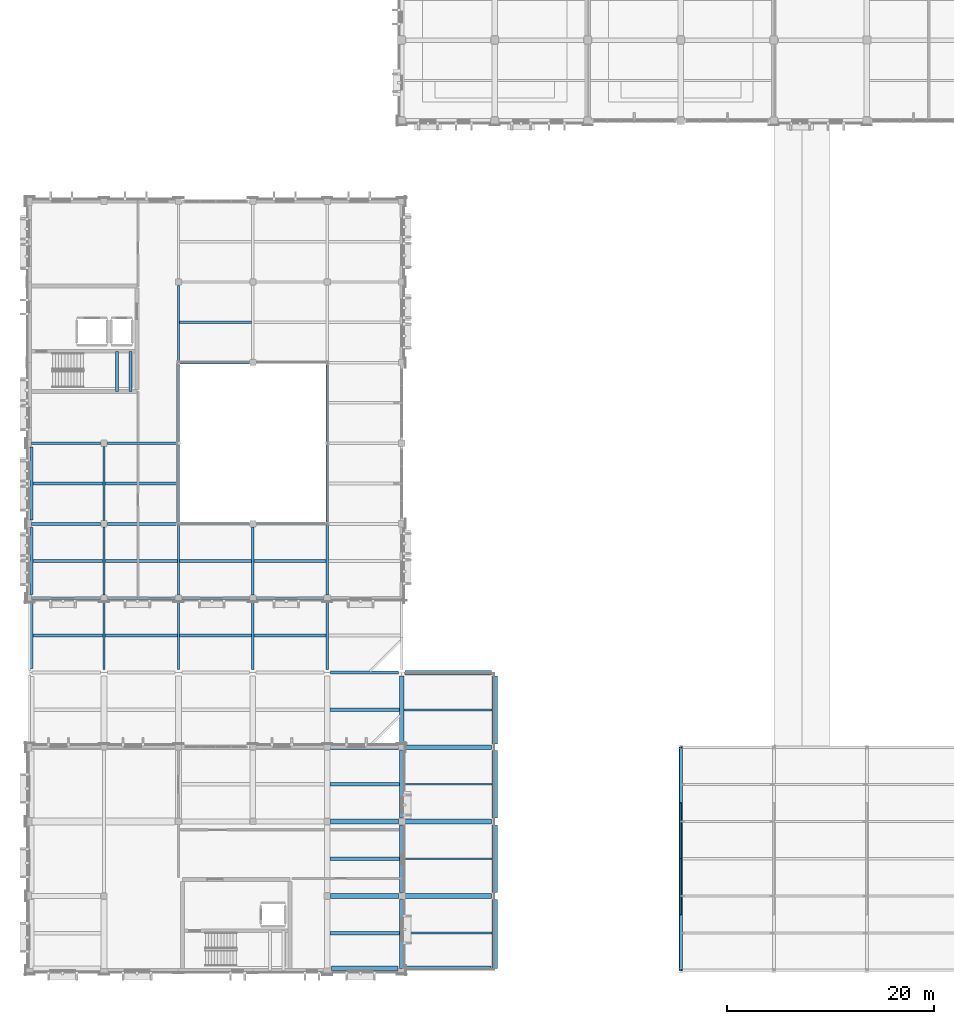
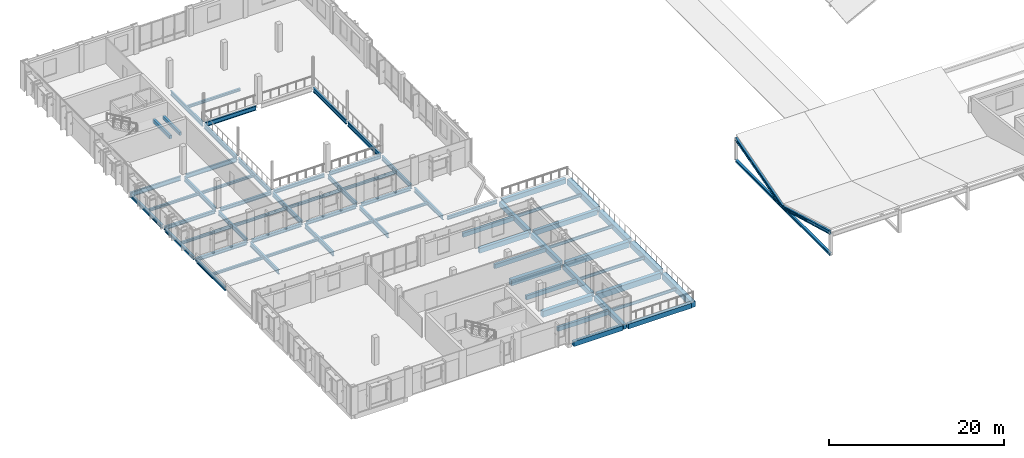
# One storey, part 14 of 64: 67 beams, 5 members.
"""IFC4 building model written with IfcOpenShell, lengths in metres."""

from ifc_helpers import new_model, si_unit, direction, frame, origin, origin_2d, place, context, subcontext, project, spatial, rectangle, hollow_rectangle, i_section, extrude, material, material_profile, profile_set, type_object, element, save


model = new_model("IFC4")

# Units and contexts
model_context = context("Model", 3, precision=1e-05, world=origin(), true_north=direction((0.0, 1.0)))
body_context = subcontext(model_context, "Body", "Model", "MODEL_VIEW")
ifc_project = project(units=[si_unit("LENGTHUNIT", "METRE"), si_unit("AREAUNIT", "SQUARE_METRE"), si_unit("VOLUMEUNIT", "CUBIC_METRE"), si_unit("PLANEANGLEUNIT", "RADIAN"), si_unit("MASSUNIT", "GRAM", prefix="KILO")], contexts=[model_context])

# Site, building, storey
site_placement = place(None, origin())
site = spatial("IfcSite", under=ifc_project, at=site_placement, CompositionType="ELEMENT")
building_placement = place(site_placement, origin())
building = spatial("IfcBuilding", under=site, at=building_placement, Name="Vervanel Yard Central Library", CompositionType="ELEMENT")
storey_placement = place(building_placement, frame((0.0, 0.0, 8.93994140625)))
storey = spatial("IfcBuildingStorey", under=building, at=storey_placement, Name="L02", CompositionType="ELEMENT", Elevation=8.93994140625)

# Members
ifc_material_1 = material(Name="Steel ASTM A992 Grade 50", Category="steel")
ifc_material_profile_1 = material_profile(ifc_material_1, i_section(OverallWidth=0.309814453125, OverallDepth=0.32763671875, WebThickness=0.015380859375, FlangeThickness=0.025146484375, at=origin_2d()), Name="W12X106", Category="steel")
ifc_profile_set_1 = profile_set([ifc_material_profile_1], Name="Steel ASTM A992 Grade 50")
member_type_1 = type_object("IfcMemberType", Name="Auditorium Roof Truss Bottom Chord W12X106", PredefinedType="CHORD", material=ifc_profile_set_1)
member_1_placement = place(storey_placement, frame((63.0, 0.0, 0.0400390625), z_axis=(0.0, 1.0, 0.0), x_axis=(-1.0, 0.0, 0.0)))
element("IfcMember", 1, at=member_1_placement, inside=storey, type_object=member_type_1, Name="V5 Butterfly Raised Tie Chord X=63.0", PredefinedType="CHORD", context=body_context, shape_type="SweptSolid", body=[
    extrude(i_section(OverallWidth=0.309814453125, OverallDepth=0.32763671875, WebThickness=0.015380859375, FlangeThickness=0.025146484375, at=origin_2d()), origin(), (0.0, 0.0, 1.0), 21.60009765625),
])
ifc_material_profile_2 = material_profile(ifc_material_1, i_section(OverallWidth=0.281982421875, OverallDepth=0.46728515625, WebThickness=0.01220703125, FlangeThickness=0.01953125, at=origin_2d()), Name="W18X86", Category="steel")
ifc_profile_set_2 = profile_set([ifc_material_profile_2], Name="Steel ASTM A992 Grade 50")
member_type_2 = type_object("IfcMemberType", Name="Butterfly Sloped Rafter W18X86", PredefinedType="RAFTER", material=ifc_profile_set_2)
for number, where, z_axis, x_axis, name in (
    (2, (63.0, 0.0, 3.076904296875), (0.0, 0.963129808718, -0.269037119297), (-1.0, 0.0, 0.0), "V5 Butterfly South Rafter X=63.0"),
    (3, (63.0, 10.800048828125, 0.06005859375), (0.0, 0.963129808718, 0.269037119297), (-1.0, 0.0, 0.0), "V5 Butterfly North Rafter X=63.0"),
):
    element("IfcMember", number, at=place(storey_placement, frame(where, z_axis=z_axis, x_axis=x_axis)), inside=storey, type_object=member_type_2, Name=name, PredefinedType="RAFTER", context=body_context, shape_type="SweptSolid", body=[
        extrude(i_section(OverallWidth=0.281982421875, OverallDepth=0.46728515625, WebThickness=0.01220703125, FlangeThickness=0.01953125, at=origin_2d()), origin(), (0.0, 0.0, 1.0), 11.21337890625),
    ])

# Beams
ifc_material_2 = material(Name="Concrete C40/50", Category="concrete")
ifc_material_profile_3 = material_profile(ifc_material_2, rectangle(XDim=0.5, YDim=0.820068359375, at=origin_2d()), Name="RC 500x820", Category="concrete")
ifc_profile_set_3 = profile_set([ifc_material_profile_3], Name="Concrete C40/50")
beam_type_1 = type_object("IfcBeamType", Name="Concrete Girder 500x820", PredefinedType="BEAM", material=ifc_profile_set_3)
beam_1_placement = place(storey_placement, frame((29.125, 7.199951171875, -0.69482421875), z_axis=(1.0, 0.0, 0.0), x_axis=(0.0, 1.0, 0.0)))
element("IfcBeam", 4, at=beam_1_placement, inside=storey, type_object=beam_type_1, Name="L02 Girder CB-06 Y=7.2 X=28.8-36.0", PredefinedType="BEAM", context=body_context, shape_type="SweptSolid", body=[
    extrude(rectangle(XDim=0.5, YDim=0.820068359375, at=origin_2d()), origin(), (0.0, 0.0, 1.0), 6.550048828125),
])
beam_2_placement = place(storey_placement, frame((36.324951171875, 7.199951171875, -0.7548828125), z_axis=(1.0, 0.0, 0.0), x_axis=(0.0, 1.0, 0.0)))
element("IfcBeam", 5, at=beam_2_placement, inside=storey, type_object=beam_type_1, Name="L02 Girder CB-06 Y=7.2 X=36.0-45.0", PredefinedType="BEAM", context=body_context, shape_type="SweptSolid", body=[
    extrude(rectangle(XDim=0.5, YDim=0.820068359375, at=origin_2d()), origin(), (0.0, 0.0, 1.0), 8.35009765625),
])
beam_3_placement = place(storey_placement, frame((29.125, 14.39990234375, -0.69482421875), z_axis=(1.0, 0.0, 0.0), x_axis=(0.0, 1.0, 0.0)))
element("IfcBeam", 6, at=beam_3_placement, inside=storey, type_object=beam_type_1, Name="L02 Girder CB-06 Y=14.4 X=28.8-36.0", PredefinedType="BEAM", context=body_context, shape_type="SweptSolid", body=[
    extrude(rectangle(XDim=0.5, YDim=0.820068359375, at=origin_2d()), origin(), (0.0, 0.0, 1.0), 6.550048828125),
])
beam_4_placement = place(storey_placement, frame((36.324951171875, 14.39990234375, -0.7548828125), z_axis=(1.0, 0.0, 0.0), x_axis=(0.0, 1.0, 0.0)))
element("IfcBeam", 7, at=beam_4_placement, inside=storey, type_object=beam_type_1, Name="L02 Girder CB-06 Y=14.4 X=36.0-45.0", PredefinedType="BEAM", context=body_context, shape_type="SweptSolid", body=[
    extrude(rectangle(XDim=0.5, YDim=0.820068359375, at=origin_2d()), origin(), (0.0, 0.0, 1.0), 8.35009765625),
])
ifc_material_profile_4 = material_profile(ifc_material_2, rectangle(XDim=0.300048828125, YDim=0.449951171875, at=origin_2d()), Name="RC 300x450", Category="concrete")
ifc_profile_set_4 = profile_set([ifc_material_profile_4], Name="Concrete C40/50")
beam_type_2 = type_object("IfcBeamType", Name="Concrete Opening Lintel 300x450", PredefinedType="LINTEL", material=ifc_profile_set_4)
for number, where, z_axis, x_axis, name in (
    (8, (8.449951171875, 56.0, 1.4951171875), (0.0, 1.0, 0.0), (-1.0, 0.0, 0.0), "L02 CORE-C Stair Landing Beam 25"),
    (9, (9.75, 56.0, 1.4951171875), (0.0, 1.0, 0.0), (-1.0, 0.0, 0.0), "L02 CORE-C Stair Landing Beam 26"),
):
    element("IfcBeam", number, at=place(storey_placement, frame(where, z_axis=z_axis, x_axis=x_axis)), inside=storey, type_object=beam_type_2, Name=name, PredefinedType="LINTEL", context=body_context, shape_type="SweptSolid", body=[
        extrude(rectangle(XDim=0.300048828125, YDim=0.449951171875, at=origin_2d()), origin(), (0.0, 0.0, 1.0), 3.89501953125),
    ])
ifc_material_profile_5 = material_profile(ifc_material_2, rectangle(XDim=0.419921875, YDim=0.679931640625, at=origin_2d()), Name="RC 420x680", Category="concrete")
ifc_profile_set_5 = profile_set([ifc_material_profile_5], Name="Concrete C40/50")
beam_type_3 = type_object("IfcBeamType", Name="Concrete Perimeter Spandrel 420x680", PredefinedType="SPANDREL", material=ifc_profile_set_5)
beam_5_placement = place(storey_placement, frame((29.18994140625, 0.199951171875, -0.625), z_axis=(1.0, 0.0, 0.0), x_axis=(0.0, 1.0, 0.0)))
element("IfcBeam", 10, at=beam_5_placement, inside=storey, type_object=beam_type_3, Name="L02 Girder SP-04 Y=0.0 X=28.8-36.0", PredefinedType="SPANDREL", context=body_context, shape_type="SweptSolid", body=[
    extrude(rectangle(XDim=0.419921875, YDim=0.679931640625, at=origin_2d()), origin(), (0.0, 0.0, 1.0), 6.4599609375),
])
beam_6_placement = place(storey_placement, frame((36.35009765625, 0.199951171875, -0.68505859375), z_axis=(1.0, 0.0, 0.0), x_axis=(0.0, 1.0, 0.0)))
element("IfcBeam", 11, at=beam_6_placement, inside=storey, type_object=beam_type_3, Name="L02 Girder SP-04 Y=0.0 X=36.0-45.0", PredefinedType="SPANDREL", context=body_context, shape_type="SweptSolid", body=[
    extrude(rectangle(XDim=0.419921875, YDim=0.679931640625, at=origin_2d()), origin(), (0.0, 0.0, 1.0), 8.2998046875),
])
beam_7_placement = place(storey_placement, frame((29.125, 21.60009765625, -0.625), z_axis=(1.0, 0.0, 0.0), x_axis=(0.0, 1.0, 0.0)))
element("IfcBeam", 12, at=beam_7_placement, inside=storey, type_object=beam_type_3, Name="L02 Girder SP-04 Y=21.6 X=28.8-36.0", PredefinedType="SPANDREL", context=body_context, shape_type="SweptSolid", body=[
    extrude(rectangle(XDim=0.419921875, YDim=0.679931640625, at=origin_2d()), origin(), (0.0, 0.0, 1.0), 6.550048828125),
])
for number, where, z_axis, x_axis, name in (
    (13, (36.324951171875, 21.60009765625, -0.68505859375), (1.0, 0.0, 0.0), (0.0, 1.0, 0.0), "L02 Girder SP-04 Y=21.6 X=36.0-45.0"),
    (14, (36.324951171875, 28.800048828125, -0.68505859375), (1.0, 0.0, 0.0), (0.0, 1.0, 0.0), "L02 Girder SP-04 Y=28.8 X=36.0-45.0"),
):
    element("IfcBeam", number, at=place(storey_placement, frame(where, z_axis=z_axis, x_axis=x_axis)), inside=storey, type_object=beam_type_3, Name=name, PredefinedType="SPANDREL", context=body_context, shape_type="SweptSolid", body=[
        extrude(rectangle(XDim=0.419921875, YDim=0.679931640625, at=origin_2d()), origin(), (0.0, 0.0, 1.0), 8.35009765625),
    ])
beam_8_placement = place(storey_placement, frame((36.0, 0.175048828125, -0.68505859375), z_axis=(0.0, 1.0, 0.0), x_axis=(-1.0, 0.0, 0.0)))
element("IfcBeam", 15, at=beam_8_placement, inside=storey, type_object=beam_type_3, Name="L02 Girder SP-04 X=36.0 Y=0.0-7.2", PredefinedType="SPANDREL", context=body_context, shape_type="SweptSolid", body=[
    extrude(rectangle(XDim=0.419921875, YDim=0.679931640625, at=origin_2d()), origin(), (0.0, 0.0, 1.0), 6.699951171875),
])
beam_9_placement = place(storey_placement, frame((36.0, 7.52490234375, -0.68505859375), z_axis=(0.0, 1.0, 0.0), x_axis=(-1.0, 0.0, 0.0)))
element("IfcBeam", 16, at=beam_9_placement, inside=storey, type_object=beam_type_3, Name="L02 Girder SP-04 X=36.0 Y=7.2-14.4", PredefinedType="SPANDREL", context=body_context, shape_type="SweptSolid", body=[
    extrude(rectangle(XDim=0.419921875, YDim=0.679931640625, at=origin_2d()), origin(), (0.0, 0.0, 1.0), 6.550048828125),
])
beam_10_placement = place(storey_placement, frame((36.0, 14.72509765625, -0.68505859375), z_axis=(0.0, 1.0, 0.0), x_axis=(-1.0, 0.0, 0.0)))
element("IfcBeam", 17, at=beam_10_placement, inside=storey, type_object=beam_type_3, Name="L02 Girder SP-04 X=36.0 Y=14.4-21.6", PredefinedType="SPANDREL", context=body_context, shape_type="SweptSolid", body=[
    extrude(rectangle(XDim=0.419921875, YDim=0.679931640625, at=origin_2d()), origin(), (0.0, 0.0, 1.0), 6.5498046875),
])
beam_11_placement = place(storey_placement, frame((36.0, 21.925048828125, -0.68505859375), z_axis=(0.0, 1.0, 0.0), x_axis=(-1.0, 0.0, 0.0)))
element("IfcBeam", 18, at=beam_11_placement, inside=storey, type_object=beam_type_3, Name="L02 Girder SP-04 X=36.0 Y=21.6-28.8", PredefinedType="SPANDREL", context=body_context, shape_type="SweptSolid", body=[
    extrude(rectangle(XDim=0.419921875, YDim=0.679931640625, at=origin_2d()), origin(), (0.0, 0.0, 1.0), 6.550048828125),
])
ifc_material_profile_6 = material_profile(ifc_material_2, rectangle(XDim=0.550048828125, YDim=0.800048828125, at=origin_2d()), Name="RC 550x800", Category="concrete")
ifc_profile_set_6 = profile_set([ifc_material_profile_6], Name="Concrete C40/50")
beam_type_4 = type_object("IfcBeamType", Name="Concrete Primary Girder 550x800", PredefinedType="BEAM", material=ifc_profile_set_6)
beam_12_placement = place(storey_placement, frame((45.0, 0.175048828125, -0.744873046875), z_axis=(0.0, 1.0, 0.0), x_axis=(-1.0, 0.0, 0.0)))
element("IfcBeam", 19, at=beam_12_placement, inside=storey, type_object=beam_type_4, Name="L02 Girder CB-02 X=45.0 Y=0.0-7.2", PredefinedType="BEAM", context=body_context, shape_type="SweptSolid", body=[
    extrude(rectangle(XDim=0.550048828125, YDim=0.800048828125, at=origin_2d()), origin(), (0.0, 0.0, 1.0), 6.699951171875),
])
beam_13_placement = place(storey_placement, frame((45.0, 7.52490234375, -0.744873046875), z_axis=(0.0, 1.0, 0.0), x_axis=(-1.0, 0.0, 0.0)))
element("IfcBeam", 20, at=beam_13_placement, inside=storey, type_object=beam_type_4, Name="L02 Girder CB-02 X=45.0 Y=7.2-14.4", PredefinedType="BEAM", context=body_context, shape_type="SweptSolid", body=[
    extrude(rectangle(XDim=0.550048828125, YDim=0.800048828125, at=origin_2d()), origin(), (0.0, 0.0, 1.0), 6.550048828125),
])
beam_14_placement = place(storey_placement, frame((45.0, 14.72509765625, -0.744873046875), z_axis=(0.0, 1.0, 0.0), x_axis=(-1.0, 0.0, 0.0)))
element("IfcBeam", 21, at=beam_14_placement, inside=storey, type_object=beam_type_4, Name="L02 Girder CB-02 X=45.0 Y=14.4-21.6", PredefinedType="BEAM", context=body_context, shape_type="SweptSolid", body=[
    extrude(rectangle(XDim=0.550048828125, YDim=0.800048828125, at=origin_2d()), origin(), (0.0, 0.0, 1.0), 6.5498046875),
])
beam_15_placement = place(storey_placement, frame((45.0, 21.925048828125, -0.744873046875), z_axis=(0.0, 1.0, 0.0), x_axis=(-1.0, 0.0, 0.0)))
element("IfcBeam", 22, at=beam_15_placement, inside=storey, type_object=beam_type_4, Name="L02 Girder CB-02 X=45.0 Y=21.6-28.8", PredefinedType="BEAM", context=body_context, shape_type="SweptSolid", body=[
    extrude(rectangle(XDim=0.550048828125, YDim=0.800048828125, at=origin_2d()), origin(), (0.0, 0.0, 1.0), 6.550048828125),
])
ifc_material_profile_7 = material_profile(ifc_material_2, rectangle(XDim=0.320068359375, YDim=0.580078125, at=origin_2d()), Name="RC 320x580", Category="concrete")
ifc_profile_set_7 = profile_set([ifc_material_profile_7], Name="Concrete C40/50")
beam_type_5 = type_object("IfcBeamType", Name="Concrete Secondary Joist 320x580", PredefinedType="JOIST", material=ifc_profile_set_7)
for number, where, z_axis, x_axis, name in (
    (23, (29.074951171875, 3.60009765625, -0.635009765625), (1.0, 0.0, 0.0), (0.0, 1.0, 0.0), "L02 Floor Joist CJ-04 Y=3.60 X=28.8-36.0"),
    (24, (29.074951171875, 10.800048828125, -0.635009765625), (1.0, 0.0, 0.0), (0.0, 1.0, 0.0), "L02 Floor Joist CJ-04 Y=10.80 X=28.8-36.0"),
    (25, (29.074951171875, 18.0, -0.635009765625), (1.0, 0.0, 0.0), (0.0, 1.0, 0.0), "L02 Floor Joist CJ-04 Y=18.00 X=28.8-36.0"),
    (26, (29.074951171875, 25.199951171875, -0.635009765625), (1.0, 0.0, 0.0), (0.0, 1.0, 0.0), "L02 Floor Joist CJ-04 Y=25.20 X=28.8-36.0"),
):
    element("IfcBeam", number, at=place(storey_placement, frame(where, z_axis=z_axis, x_axis=x_axis)), inside=storey, type_object=beam_type_5, Name=name, PredefinedType="JOIST", context=body_context, shape_type="SweptSolid", body=[
        extrude(rectangle(XDim=0.320068359375, YDim=0.580078125, at=origin_2d()), origin(), (0.0, 0.0, 1.0), 6.715087890625),
    ])

# Members
ifc_material_3 = material(Name="Steel ASTM A500 Grade C", Category="steel")
ifc_material_profile_8 = material_profile(ifc_material_3, hollow_rectangle(XDim=0.15234375, YDim=0.15234375, WallThickness=0.0087890625, at=origin_2d()), Name="HSS6X6X3/8", Category="steel")
ifc_profile_set_8 = profile_set([ifc_material_profile_8], Name="Steel ASTM A500 Grade C")
member_type_3 = type_object("IfcMemberType", Name="Roof Diaphragm Plan Brace HSS6X6X3/8", PredefinedType="BRACE", material=ifc_profile_set_8)
member_2_placement = place(storey_placement, frame((63.0, 5.39990234375, 1.568359375), z_axis=(0.0, 0.962207121164, -0.272318666237), x_axis=(-1.0, 0.0, 0.0)))
element("IfcMember", 27, at=member_2_placement, inside=storey, type_object=member_type_3, Name="V5 Butterfly Truss South Web X=63.0", PredefinedType="BRACE", context=body_context, shape_type="SweptSolid", body=[
    extrude(hollow_rectangle(XDim=0.15234375, YDim=0.15234375, WallThickness=0.0087890625, at=origin_2d()), origin(), (0.0, 0.0, 1.0), 5.6123046875),
])
member_3_placement = place(storey_placement, frame((63.0, 16.199951171875, 1.568359375), z_axis=(0.0, -0.96220389501, -0.27233006523), x_axis=(1.0, 0.0, 0.0)))
element("IfcMember", 28, at=member_3_placement, inside=storey, type_object=member_type_3, Name="V5 Butterfly Truss North Web X=63.0", PredefinedType="BRACE", context=body_context, shape_type="SweptSolid", body=[
    extrude(hollow_rectangle(XDim=0.15234375, YDim=0.15234375, WallThickness=0.0087890625, at=origin_2d()), origin(), (0.0, 0.0, 1.0), 5.612060546875),
])

# Beams
ifc_material_profile_9 = material_profile(ifc_material_1, i_section(OverallWidth=0.25390625, OverallDepth=0.355712890625, WebThickness=0.010498046875, FlangeThickness=0.018310546875, at=origin_2d()), Name="W14X68", Category="steel")
ifc_profile_set_9 = profile_set([ifc_material_profile_9], Name="Steel ASTM A992 Grade 50")
beam_type_6 = type_object("IfcBeamType", Name="Steel Atrium Edge Joist W14X68", PredefinedType="JOIST", material=ifc_profile_set_9)
for number, where, z_axis, x_axis, name in (
    (29, (0.341064453125, 32.39990234375, -0.432861328125), (1.0, 0.0, 0.0), (0.0, 1.0, 0.0), "L02 Floor Joist SJ-06 Y=32.40 X=0.0-7.2"),
    (30, (0.341064453125, 39.60009765625, -0.462646484375), (1.0, 0.0, 0.0), (0.0, 1.0, 0.0), "L02 Floor Joist SJ-06 Y=39.60 X=0.0-7.2"),
    (31, (0.341064453125, 47.10009765625, -0.462646484375), (1.0, 0.0, 0.0), (0.0, 1.0, 0.0), "L02 Floor Joist SJ-06 Y=47.10 X=0.0-7.2"),
):
    element("IfcBeam", number, at=place(storey_placement, frame(where, z_axis=z_axis, x_axis=x_axis)), inside=storey, type_object=beam_type_6, Name=name, PredefinedType="JOIST", context=body_context, shape_type="SweptSolid", body=[
        extrude(i_section(OverallWidth=0.25390625, OverallDepth=0.355712890625, WebThickness=0.010498046875, FlangeThickness=0.018310546875, at=origin_2d()), origin(), (0.0, 0.0, 1.0), 6.744384765625),
    ])
for number, where, z_axis, x_axis, name in (
    (32, (7.314697265625, 32.39990234375, -0.432861328125), (1.0, 0.0, 0.0), (0.0, 1.0, 0.0), "L02 Floor Joist SJ-06 Y=32.40 X=7.2-14.4"),
    (33, (7.314697265625, 39.60009765625, -0.462646484375), (1.0, 0.0, 0.0), (0.0, 1.0, 0.0), "L02 Floor Joist SJ-06 Y=39.60 X=7.2-14.4"),
    (34, (7.314697265625, 47.10009765625, -0.462646484375), (1.0, 0.0, 0.0), (0.0, 1.0, 0.0), "L02 Floor Joist SJ-06 Y=47.10 X=7.2-14.4"),
    (35, (14.5146484375, 32.39990234375, -0.432861328125), (1.0, 0.0, 0.0), (0.0, 1.0, 0.0), "L02 Floor Joist SJ-06 Y=32.40 X=14.4-21.6"),
    (36, (14.5146484375, 39.60009765625, -0.462646484375), (1.0, 0.0, 0.0), (0.0, 1.0, 0.0), "L02 Floor Joist SJ-06 Y=39.60 X=14.4-21.6"),
    (37, (14.5146484375, 62.699951171875, -0.462646484375), (1.0, 0.0, 0.0), (0.0, 1.0, 0.0), "L02 Floor Joist SJ-06 Y=62.70 X=14.4-21.6"),
    (38, (21.714599609375, 32.39990234375, -0.432861328125), (1.0, 0.0, 0.0), (0.0, 1.0, 0.0), "L02 Floor Joist SJ-06 Y=32.40 X=21.6-28.8"),
    (39, (21.714599609375, 39.60009765625, -0.462646484375), (1.0, 0.0, 0.0), (0.0, 1.0, 0.0), "L02 Floor Joist SJ-06 Y=39.60 X=21.6-28.8"),
):
    element("IfcBeam", number, at=place(storey_placement, frame(where, z_axis=z_axis, x_axis=x_axis)), inside=storey, type_object=beam_type_6, Name=name, PredefinedType="JOIST", context=body_context, shape_type="SweptSolid", body=[
        extrude(i_section(OverallWidth=0.25390625, OverallDepth=0.355712890625, WebThickness=0.010498046875, FlangeThickness=0.018310546875, at=origin_2d()), origin(), (0.0, 0.0, 1.0), 6.970703125),
    ])
ifc_material_profile_10 = material_profile(ifc_material_1, i_section(OverallWidth=0.22900390625, OverallDepth=0.612060546875, WebThickness=0.011962890625, FlangeThickness=0.01953125, at=origin_2d()), Name="W24X84", Category="steel")
ifc_profile_set_10 = profile_set([ifc_material_profile_10], Name="Steel ASTM A992 Grade 50")
beam_type_7 = type_object("IfcBeamType", Name="Steel Primary Girder W24X84", PredefinedType="BEAM", material=ifc_profile_set_10)
beam_16_placement = place(storey_placement, frame((0.175048828125, 51.0, -0.591064453125), z_axis=(1.0, 0.0, 0.0), x_axis=(0.0, 1.0, 0.0)))
element("IfcBeam", 40, at=beam_16_placement, inside=storey, type_object=beam_type_7, Name="L02 Girder SB-01 Y=51.0 X=0.0-7.2", PredefinedType="BEAM", context=body_context, shape_type="SweptSolid", body=[
    extrude(i_section(OverallWidth=0.22900390625, OverallDepth=0.612060546875, WebThickness=0.011962890625, FlangeThickness=0.01953125, at=origin_2d()), origin(), (0.0, 0.0, 1.0), 6.699951171875),
])
beam_17_placement = place(storey_placement, frame((7.52490234375, 51.0, -0.591064453125), z_axis=(1.0, 0.0, 0.0), x_axis=(0.0, 1.0, 0.0)))
element("IfcBeam", 41, at=beam_17_placement, inside=storey, type_object=beam_type_7, Name="L02 Girder SB-01 Y=51.0 X=7.2-14.4", PredefinedType="BEAM", context=body_context, shape_type="SweptSolid", body=[
    extrude(i_section(OverallWidth=0.22900390625, OverallDepth=0.612060546875, WebThickness=0.011962890625, FlangeThickness=0.01953125, at=origin_2d()), origin(), (0.0, 0.0, 1.0), 6.713134765625),
])
beam_18_placement = place(storey_placement, frame((14.56201171875, 58.800048828125, -0.591064453125), z_axis=(1.0, 0.0, 0.0), x_axis=(0.0, 1.0, 0.0)))
element("IfcBeam", 42, at=beam_18_placement, inside=storey, type_object=beam_type_7, Name="L02 Girder SB-01 Y=58.8 X=14.4-21.6", PredefinedType="BEAM", context=body_context, shape_type="SweptSolid", body=[
    extrude(i_section(OverallWidth=0.22900390625, OverallDepth=0.612060546875, WebThickness=0.011962890625, FlangeThickness=0.01953125, at=origin_2d()), origin(), (0.0, 0.0, 1.0), 6.712890625),
])
for number, where, z_axis, x_axis, name in (
    (43, (7.199951171875, 29.125, -0.56103515625), (0.0, 1.0, 0.0), (-1.0, 0.0, 0.0), "L02 Girder SB-01 X=7.2 Y=28.8-36.0"),
    (44, (7.199951171875, 36.324951171875, -0.591064453125), (0.0, 1.0, 0.0), (-1.0, 0.0, 0.0), "L02 Girder SB-01 X=7.2 Y=36.0-43.2"),
):
    element("IfcBeam", number, at=place(storey_placement, frame(where, z_axis=z_axis, x_axis=x_axis)), inside=storey, type_object=beam_type_7, Name=name, PredefinedType="BEAM", context=body_context, shape_type="SweptSolid", body=[
        extrude(i_section(OverallWidth=0.22900390625, OverallDepth=0.612060546875, WebThickness=0.011962890625, FlangeThickness=0.01953125, at=origin_2d()), origin(), (0.0, 0.0, 1.0), 6.550048828125),
    ])
beam_19_placement = place(storey_placement, frame((7.199951171875, 43.52490234375, -0.591064453125), z_axis=(0.0, 1.0, 0.0), x_axis=(-1.0, 0.0, 0.0)))
element("IfcBeam", 45, at=beam_19_placement, inside=storey, type_object=beam_type_7, Name="L02 Girder SB-01 X=7.2 Y=43.2-51.0", PredefinedType="BEAM", context=body_context, shape_type="SweptSolid", body=[
    extrude(i_section(OverallWidth=0.22900390625, OverallDepth=0.612060546875, WebThickness=0.011962890625, FlangeThickness=0.01953125, at=origin_2d()), origin(), (0.0, 0.0, 1.0), 7.150146484375),
])
beam_20_placement = place(storey_placement, frame((14.39990234375, 29.125, -0.56103515625), z_axis=(0.0, 1.0, 0.0), x_axis=(-1.0, 0.0, 0.0)))
element("IfcBeam", 46, at=beam_20_placement, inside=storey, type_object=beam_type_7, Name="L02 Girder SB-01 X=14.4 Y=28.8-36.0", PredefinedType="BEAM", context=body_context, shape_type="SweptSolid", body=[
    extrude(i_section(OverallWidth=0.22900390625, OverallDepth=0.612060546875, WebThickness=0.011962890625, FlangeThickness=0.01953125, at=origin_2d()), origin(), (0.0, 0.0, 1.0), 6.550048828125),
])
beam_21_placement = place(storey_placement, frame((14.39990234375, 36.324951171875, -0.591064453125), z_axis=(0.0, 1.0, 0.0), x_axis=(-1.0, 0.0, 0.0)))
element("IfcBeam", 47, at=beam_21_placement, inside=storey, type_object=beam_type_7, Name="L02 Girder SB-01 X=14.4 Y=36.0-43.2", PredefinedType="BEAM", context=body_context, shape_type="SweptSolid", body=[
    extrude(i_section(OverallWidth=0.22900390625, OverallDepth=0.612060546875, WebThickness=0.011962890625, FlangeThickness=0.01953125, at=origin_2d()), origin(), (0.0, 0.0, 1.0), 6.713134765625),
])
for number, where, z_axis, x_axis, name in (
    (48, (14.39990234375, 43.36181640625, -0.591064453125), (0.0, 1.0, 0.0), (-1.0, 0.0, 0.0), "L02 Girder SB-01 X=14.4 Y=43.2-51.0"),
    (49, (14.39990234375, 51.161865234375, -0.591064453125), (0.0, 1.0, 0.0), (-1.0, 0.0, 0.0), "L02 Girder SB-01 X=14.4 Y=51.0-58.8"),
):
    element("IfcBeam", number, at=place(storey_placement, frame(where, z_axis=z_axis, x_axis=x_axis)), inside=storey, type_object=beam_type_7, Name=name, PredefinedType="BEAM", context=body_context, shape_type="SweptSolid", body=[
        extrude(i_section(OverallWidth=0.22900390625, OverallDepth=0.612060546875, WebThickness=0.011962890625, FlangeThickness=0.01953125, at=origin_2d()), origin(), (0.0, 0.0, 1.0), 7.476318359375),
    ])
beam_22_placement = place(storey_placement, frame((14.39990234375, 58.9619140625, -0.591064453125), z_axis=(0.0, 1.0, 0.0), x_axis=(-1.0, 0.0, 0.0)))
element("IfcBeam", 50, at=beam_22_placement, inside=storey, type_object=beam_type_7, Name="L02 Girder SB-01 X=14.4 Y=58.8-66.6", PredefinedType="BEAM", context=body_context, shape_type="SweptSolid", body=[
    extrude(i_section(OverallWidth=0.22900390625, OverallDepth=0.612060546875, WebThickness=0.011962890625, FlangeThickness=0.01953125, at=origin_2d()), origin(), (0.0, 0.0, 1.0), 7.31298828125),
])
for number, where, z_axis, x_axis, name in (
    (51, (21.60009765625, 29.125, -0.56103515625), (0.0, 1.0, 0.0), (-1.0, 0.0, 0.0), "L02 Girder SB-01 X=21.6 Y=28.8-36.0"),
    (52, (21.60009765625, 36.324951171875, -0.591064453125), (0.0, 1.0, 0.0), (-1.0, 0.0, 0.0), "L02 Girder SB-01 X=21.6 Y=36.0-43.2"),
    (53, (28.800048828125, 29.125, -0.56103515625), (0.0, 1.0, 0.0), (-1.0, 0.0, 0.0), "L02 Girder SB-01 X=28.8 Y=28.8-36.0"),
):
    element("IfcBeam", number, at=place(storey_placement, frame(where, z_axis=z_axis, x_axis=x_axis)), inside=storey, type_object=beam_type_7, Name=name, PredefinedType="BEAM", context=body_context, shape_type="SweptSolid", body=[
        extrude(i_section(OverallWidth=0.22900390625, OverallDepth=0.612060546875, WebThickness=0.011962890625, FlangeThickness=0.01953125, at=origin_2d()), origin(), (0.0, 0.0, 1.0), 6.550048828125),
    ])
beam_23_placement = place(storey_placement, frame((28.800048828125, 36.324951171875, -0.591064453125), z_axis=(0.0, 1.0, 0.0), x_axis=(-1.0, 0.0, 0.0)))
element("IfcBeam", 54, at=beam_23_placement, inside=storey, type_object=beam_type_7, Name="L02 Girder SB-01 X=28.8 Y=36.0-43.2", PredefinedType="BEAM", context=body_context, shape_type="SweptSolid", body=[
    extrude(i_section(OverallWidth=0.22900390625, OverallDepth=0.612060546875, WebThickness=0.011962890625, FlangeThickness=0.01953125, at=origin_2d()), origin(), (0.0, 0.0, 1.0), 6.713134765625),
])
for number, where, z_axis, x_axis, name in (
    (55, (28.800048828125, 43.36181640625, -0.591064453125), (0.0, 1.0, 0.0), (-1.0, 0.0, 0.0), "L02 Girder SB-01 X=28.8 Y=43.2-51.0"),
    (56, (28.800048828125, 51.161865234375, -0.591064453125), (0.0, 1.0, 0.0), (-1.0, 0.0, 0.0), "L02 Girder SB-01 X=28.8 Y=51.0-58.8"),
):
    element("IfcBeam", number, at=place(storey_placement, frame(where, z_axis=z_axis, x_axis=x_axis)), inside=storey, type_object=beam_type_7, Name=name, PredefinedType="BEAM", context=body_context, shape_type="SweptSolid", body=[
        extrude(i_section(OverallWidth=0.22900390625, OverallDepth=0.612060546875, WebThickness=0.011962890625, FlangeThickness=0.01953125, at=origin_2d()), origin(), (0.0, 0.0, 1.0), 7.476318359375),
    ])
ifc_material_profile_11 = material_profile(ifc_material_1, i_section(OverallWidth=0.1787109375, OverallDepth=0.408935546875, WebThickness=0.0087890625, FlangeThickness=0.014404296875, at=origin_2d()), Name="W16X45", Category="steel")
ifc_profile_set_11 = profile_set([ifc_material_profile_11], Name="Steel ASTM A992 Grade 50")
beam_type_8 = type_object("IfcBeamType", Name="Steel Secondary Joist W16X45", PredefinedType="JOIST", material=ifc_profile_set_11)
for number, where, z_axis, x_axis, name in (
    (57, (36.2099609375, 3.60009765625, -0.54931640625), (1.0, 0.0, 0.0), (0.0, 1.0, 0.0), "L02 Floor Joist SJ-01 Y=3.60 X=36.0-45.0"),
    (58, (36.2099609375, 10.800048828125, -0.54931640625), (1.0, 0.0, 0.0), (0.0, 1.0, 0.0), "L02 Floor Joist SJ-01 Y=10.80 X=36.0-45.0"),
    (59, (36.2099609375, 18.0, -0.54931640625), (1.0, 0.0, 0.0), (0.0, 1.0, 0.0), "L02 Floor Joist SJ-01 Y=18.00 X=36.0-45.0"),
    (60, (36.2099609375, 25.199951171875, -0.54931640625), (1.0, 0.0, 0.0), (0.0, 1.0, 0.0), "L02 Floor Joist SJ-01 Y=25.20 X=36.0-45.0"),
):
    element("IfcBeam", number, at=place(storey_placement, frame(where, z_axis=z_axis, x_axis=x_axis)), inside=storey, type_object=beam_type_8, Name=name, PredefinedType="JOIST", context=body_context, shape_type="SweptSolid", body=[
        extrude(i_section(OverallWidth=0.1787109375, OverallDepth=0.408935546875, WebThickness=0.0087890625, FlangeThickness=0.014404296875, at=origin_2d()), origin(), (0.0, 0.0, 1.0), 8.51513671875),
    ])
ifc_material_profile_12 = material_profile(ifc_material_1, i_section(OverallWidth=0.281982421875, OverallDepth=0.46728515625, WebThickness=0.01220703125, FlangeThickness=0.01953125, at=origin_2d()), Name="W18X86", Category="steel")
ifc_profile_set_12 = profile_set([ifc_material_profile_12], Name="Steel ASTM A992 Grade 50")
beam_type_9 = type_object("IfcBeamType", Name="Steel Spandrel Beam W18X86", PredefinedType="SPANDREL", material=ifc_profile_set_12)
beam_24_placement = place(storey_placement, frame((29.125, 28.800048828125, -0.488525390625), z_axis=(1.0, 0.0, 0.0), x_axis=(0.0, 1.0, 0.0)))
element("IfcBeam", 61, at=beam_24_placement, inside=storey, type_object=beam_type_9, Name="L02 Girder SP-02 Y=28.8 X=28.8-36.0", PredefinedType="SPANDREL", context=body_context, shape_type="SweptSolid", body=[
    extrude(i_section(OverallWidth=0.281982421875, OverallDepth=0.46728515625, WebThickness=0.01220703125, FlangeThickness=0.01953125, at=origin_2d()), origin(), (0.0, 0.0, 1.0), 6.550048828125),
])
beam_25_placement = place(storey_placement, frame((0.175048828125, 36.0, -0.5185546875), z_axis=(1.0, 0.0, 0.0), x_axis=(0.0, 1.0, 0.0)))
element("IfcBeam", 62, at=beam_25_placement, inside=storey, type_object=beam_type_9, Name="L02 Girder SP-02 Y=36.0 X=0.0-7.2", PredefinedType="SPANDREL", context=body_context, shape_type="SweptSolid", body=[
    extrude(i_section(OverallWidth=0.281982421875, OverallDepth=0.46728515625, WebThickness=0.01220703125, FlangeThickness=0.01953125, at=origin_2d()), origin(), (0.0, 0.0, 1.0), 6.699951171875),
])
beam_26_placement = place(storey_placement, frame((7.52490234375, 36.0, -0.5185546875), z_axis=(1.0, 0.0, 0.0), x_axis=(0.0, 1.0, 0.0)))
element("IfcBeam", 63, at=beam_26_placement, inside=storey, type_object=beam_type_9, Name="L02 Girder SP-02 Y=36.0 X=7.2-14.4", PredefinedType="SPANDREL", context=body_context, shape_type="SweptSolid", body=[
    extrude(i_section(OverallWidth=0.281982421875, OverallDepth=0.46728515625, WebThickness=0.01220703125, FlangeThickness=0.01953125, at=origin_2d()), origin(), (0.0, 0.0, 1.0), 6.550048828125),
])
beam_27_placement = place(storey_placement, frame((14.72509765625, 36.0, -0.5185546875), z_axis=(1.0, 0.0, 0.0), x_axis=(0.0, 1.0, 0.0)))
element("IfcBeam", 64, at=beam_27_placement, inside=storey, type_object=beam_type_9, Name="L02 Girder SP-02 Y=36.0 X=14.4-21.6", PredefinedType="SPANDREL", context=body_context, shape_type="SweptSolid", body=[
    extrude(i_section(OverallWidth=0.281982421875, OverallDepth=0.46728515625, WebThickness=0.01220703125, FlangeThickness=0.01953125, at=origin_2d()), origin(), (0.0, 0.0, 1.0), 6.5498046875),
])
beam_28_placement = place(storey_placement, frame((21.925048828125, 36.0, -0.5185546875), z_axis=(1.0, 0.0, 0.0), x_axis=(0.0, 1.0, 0.0)))
element("IfcBeam", 65, at=beam_28_placement, inside=storey, type_object=beam_type_9, Name="L02 Girder SP-02 Y=36.0 X=21.6-28.8", PredefinedType="SPANDREL", context=body_context, shape_type="SweptSolid", body=[
    extrude(i_section(OverallWidth=0.281982421875, OverallDepth=0.46728515625, WebThickness=0.01220703125, FlangeThickness=0.01953125, at=origin_2d()), origin(), (0.0, 0.0, 1.0), 6.550048828125),
])
beam_29_placement = place(storey_placement, frame((0.18994140625, 43.199951171875, -0.5185546875), z_axis=(1.0, 0.0, 0.0), x_axis=(0.0, 1.0, 0.0)))
element("IfcBeam", 66, at=beam_29_placement, inside=storey, type_object=beam_type_9, Name="L02 Girder SP-02 Y=43.2 X=0.0-7.2", PredefinedType="SPANDREL", context=body_context, shape_type="SweptSolid", body=[
    extrude(i_section(OverallWidth=0.281982421875, OverallDepth=0.46728515625, WebThickness=0.01220703125, FlangeThickness=0.01953125, at=origin_2d()), origin(), (0.0, 0.0, 1.0), 6.68505859375),
])
beam_30_placement = place(storey_placement, frame((7.52490234375, 43.199951171875, -0.5185546875), z_axis=(1.0, 0.0, 0.0), x_axis=(0.0, 1.0, 0.0)))
element("IfcBeam", 67, at=beam_30_placement, inside=storey, type_object=beam_type_9, Name="L02 Girder SP-02 Y=43.2 X=7.2-14.4", PredefinedType="SPANDREL", context=body_context, shape_type="SweptSolid", body=[
    extrude(i_section(OverallWidth=0.281982421875, OverallDepth=0.46728515625, WebThickness=0.01220703125, FlangeThickness=0.01953125, at=origin_2d()), origin(), (0.0, 0.0, 1.0), 6.713134765625),
])
beam_31_placement = place(storey_placement, frame((14.56201171875, 43.199951171875, -0.5185546875), z_axis=(1.0, 0.0, 0.0), x_axis=(0.0, 1.0, 0.0)))
element("IfcBeam", 68, at=beam_31_placement, inside=storey, type_object=beam_type_9, Name="L02 Girder SP-02 Y=43.2 X=14.4-21.6", PredefinedType="SPANDREL", context=body_context, shape_type="SweptSolid", body=[
    extrude(i_section(OverallWidth=0.281982421875, OverallDepth=0.46728515625, WebThickness=0.01220703125, FlangeThickness=0.01953125, at=origin_2d()), origin(), (0.0, 0.0, 1.0), 6.712890625),
])
beam_32_placement = place(storey_placement, frame((21.925048828125, 43.199951171875, -0.5185546875), z_axis=(1.0, 0.0, 0.0), x_axis=(0.0, 1.0, 0.0)))
element("IfcBeam", 69, at=beam_32_placement, inside=storey, type_object=beam_type_9, Name="L02 Girder SP-02 Y=43.2 X=21.6-28.8", PredefinedType="SPANDREL", context=body_context, shape_type="SweptSolid", body=[
    extrude(i_section(OverallWidth=0.281982421875, OverallDepth=0.46728515625, WebThickness=0.01220703125, FlangeThickness=0.01953125, at=origin_2d()), origin(), (0.0, 0.0, 1.0), 6.713134765625),
])
beam_33_placement = place(storey_placement, frame((0.199951171875, 29.18994140625, -0.488525390625), z_axis=(0.0, 1.0, 0.0), x_axis=(-1.0, 0.0, 0.0)))
element("IfcBeam", 70, at=beam_33_placement, inside=storey, type_object=beam_type_9, Name="L02 Girder SP-02 X=0.0 Y=28.8-36.0", PredefinedType="SPANDREL", context=body_context, shape_type="SweptSolid", body=[
    extrude(i_section(OverallWidth=0.281982421875, OverallDepth=0.46728515625, WebThickness=0.01220703125, FlangeThickness=0.01953125, at=origin_2d()), origin(), (0.0, 0.0, 1.0), 6.4599609375),
])
beam_34_placement = place(storey_placement, frame((0.199951171875, 36.35009765625, -0.5185546875), z_axis=(0.0, 1.0, 0.0), x_axis=(-1.0, 0.0, 0.0)))
element("IfcBeam", 71, at=beam_34_placement, inside=storey, type_object=beam_type_9, Name="L02 Girder SP-02 X=0.0 Y=36.0-43.2", PredefinedType="SPANDREL", context=body_context, shape_type="SweptSolid", body=[
    extrude(i_section(OverallWidth=0.281982421875, OverallDepth=0.46728515625, WebThickness=0.01220703125, FlangeThickness=0.01953125, at=origin_2d()), origin(), (0.0, 0.0, 1.0), 6.489990234375),
])
beam_35_placement = place(storey_placement, frame((0.199951171875, 43.56005859375, -0.5185546875), z_axis=(0.0, 1.0, 0.0), x_axis=(-1.0, 0.0, 0.0)))
element("IfcBeam", 72, at=beam_35_placement, inside=storey, type_object=beam_type_9, Name="L02 Girder SP-02 X=0.0 Y=43.2-51.0", PredefinedType="SPANDREL", context=body_context, shape_type="SweptSolid", body=[
    extrude(i_section(OverallWidth=0.281982421875, OverallDepth=0.46728515625, WebThickness=0.01220703125, FlangeThickness=0.01953125, at=origin_2d()), origin(), (0.0, 0.0, 1.0), 7.08984375),
])

save(model, "model.ifc")
